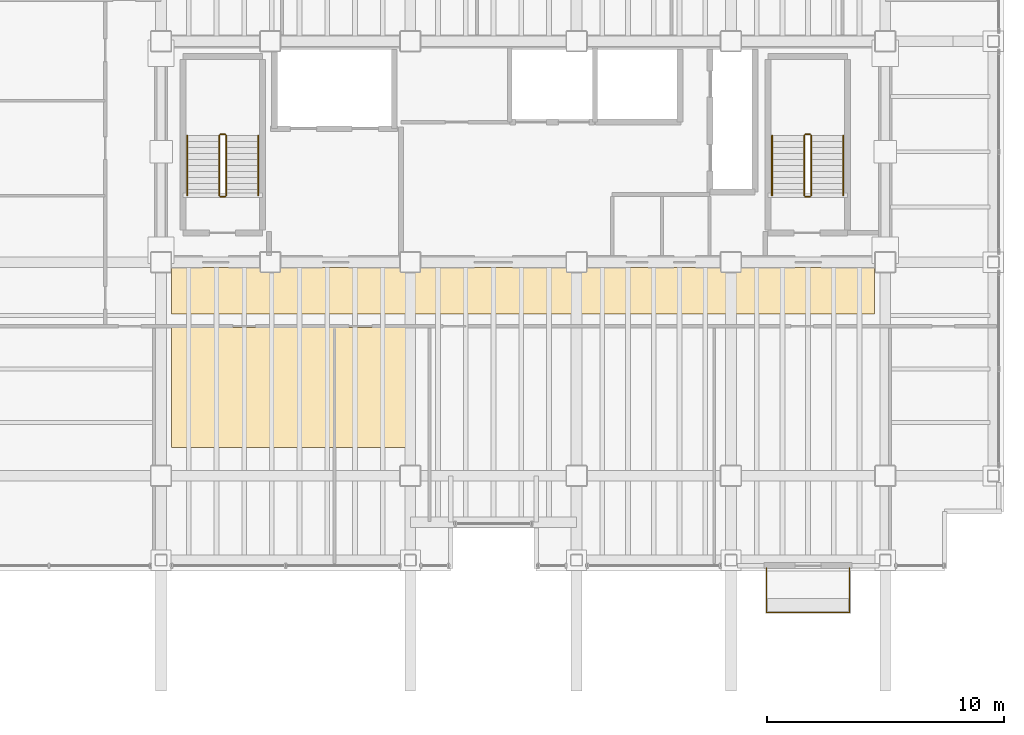
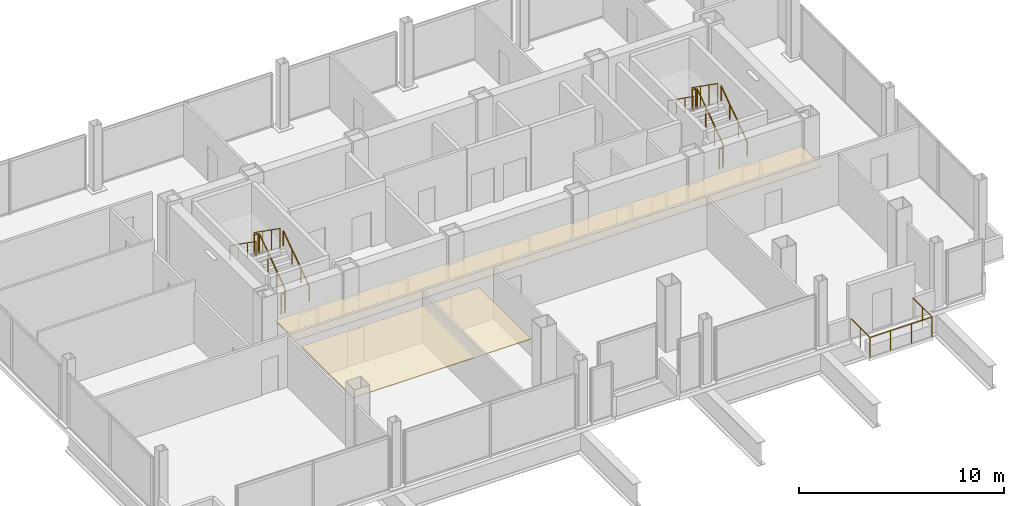
# One storey, part 24 of 24: 13 railings, 2 coverings.
"""IFC4 building model written with IfcOpenShell, lengths in metres."""

from ifc_helpers import new_model, si_unit, direction, frame, origin, origin_2d, place, context, subcontext, project, spatial, polyline, circle, outline, extrude, material, layer, layer_set, type_object, element, save


model = new_model("IFC4")

# Units and contexts
model_context = context("Model", 3, precision=1e-05, world=origin(), true_north=direction((0.0, 1.0)))
body_context = subcontext(model_context, "Body", "Model", "MODEL_VIEW")
ifc_project = project(units=[si_unit("LENGTHUNIT", "METRE"), si_unit("AREAUNIT", "SQUARE_METRE"), si_unit("VOLUMEUNIT", "CUBIC_METRE"), si_unit("PLANEANGLEUNIT", "RADIAN"), si_unit("MASSUNIT", "GRAM", prefix="KILO")], contexts=[model_context])

# Site, building, storey
site_placement = place(None, origin())
site = spatial("IfcSite", under=ifc_project, at=site_placement, CompositionType="ELEMENT")
building_placement = place(site_placement, origin())
building = spatial("IfcBuilding", under=site, at=building_placement, Name="Noeulbin Bourse Tower", CompositionType="ELEMENT")
storey_placement = place(building_placement, frame((0.0, 0.0, 142.199951171875)))
storey = spatial("IfcBuildingStorey", under=building, at=storey_placement, Name="L35", CompositionType="ELEMENT", Elevation=142.199951171875)

# Coverings
ifc_material_1 = material(Name="Perforated Mineral-Fibre Acoustic Tile")
ifc_layer_1 = layer(ifc_material_1, 0.0400390625)
ifc_layer_set_1 = layer_set([ifc_layer_1], Name="Perforated Mineral-Fibre Acoustic Tile")
covering_type = type_object("IfcCoveringType", Name="COV-CEIL-ACT", PredefinedType="CEILING", material=ifc_layer_set_1)
covering_1_placement = place(storey_placement, frame((0.0, 0.0, 2.110107421875)))
element("IfcCovering", 1, at=covering_1_placement, inside=storey, type_object=covering_type, Name="Corridor Suspended Ceiling L35", PredefinedType="CEILING", context=body_context, shape_type="SweptSolid", body=[
    extrude(outline(polyline([(13.949951171875, 26.820068359375), (43.550048828125, 26.820068359375), (43.550048828125, 28.780029296875), (13.949951171875, 28.780029296875), (13.949951171875, 26.820068359375)])), origin(), (0.0, 0.0, 1.0), 0.0400390625),
])
covering_2_placement = place(storey_placement, frame((0.0, 0.0, 2.110107421875)))
element("IfcCovering", 2, at=covering_2_placement, inside=storey, type_object=covering_type, Name="Trading Suite Acoustic Ceiling L35", PredefinedType="CEILING", context=body_context, shape_type="SweptSolid", body=[
    extrude(outline(polyline([(13.949951171875, 21.199951171875), (23.949951171875, 21.199951171875), (23.949951171875, 26.25), (13.949951171875, 26.25), (13.949951171875, 21.199951171875)])), origin(), (0.0, 0.0, 1.0), 0.0400390625),
])

# Railings
ifc_material_2 = material(Name="Laminated SentryGlas and Stainless Steel 316", Category="steel")
ifc_layer_2 = layer(ifc_material_2, 0.06005859375)
ifc_layer_set_2 = layer_set([ifc_layer_2], Name="Laminated SentryGlas and Stainless Steel 316")
railing_type_1 = type_object("IfcRailingType", Name="RLG-BAL-1200", PredefinedType="BALUSTRADE", material=ifc_layer_set_2)
railing_1_placement = place(storey_placement, frame((39.0, 16.1201171875, 0.0)))
element("IfcRailing", 3, at=railing_1_placement, inside=storey, type_object=railing_type_1, Name="Tree-Balcony Glazed Balustrade L35", PredefinedType="BALUSTRADE", context=body_context, shape_type="SweptSolid", body=[
    extrude(circle(Radius=0.02392578125, at=origin_2d()), frame((0.0, 0.0, 1.17578125), z_axis=(0.0, -1.0, 0.0), x_axis=(1.0, 0.0, 0.0)), (0.0, 0.0, 1.0), 1.8701171875),
    extrude(circle(Radius=0.02392578125, at=origin_2d()), frame((0.0, -1.8701171875, 1.17578125), z_axis=(1.0, 0.0, 0.0), x_axis=(0.0, 1.0, 0.0)), (0.0, 0.0, 1.0), 3.5),
    extrude(circle(Radius=0.02392578125, at=origin_2d()), frame((3.5, -1.8701171875, 1.17578125), z_axis=(0.0, 1.0, 0.0), x_axis=(-1.0, 0.0, 0.0)), (0.0, 0.0, 1.0), 1.8701171875),
    extrude(circle(Radius=0.02099609375, at=origin_2d()), origin(), (0.0, 0.0, 1.0), 1.15185546875),
    extrude(circle(Radius=0.02099609375, at=origin_2d()), frame((0.0, -0.93505859375, 0.0)), (0.0, 0.0, 1.0), 1.15185546875),
    extrude(circle(Radius=0.02099609375, at=origin_2d()), frame((0.0, -1.8701171875, 0.0)), (0.0, 0.0, 1.0), 1.15185546875),
    extrude(circle(Radius=0.02099609375, at=origin_2d()), frame((1.166748046875, -1.8701171875, 0.0)), (0.0, 0.0, 1.0), 1.15185546875),
    extrude(circle(Radius=0.02099609375, at=origin_2d()), frame((2.333251953125, -1.8701171875, 0.0)), (0.0, 0.0, 1.0), 1.15185546875),
    extrude(circle(Radius=0.02099609375, at=origin_2d()), frame((3.5, -1.8701171875, 0.0)), (0.0, 0.0, 1.0), 1.15185546875),
    extrude(circle(Radius=0.02099609375, at=origin_2d()), frame((3.5, -0.93505859375, 0.0)), (0.0, 0.0, 1.0), 1.15185546875),
    extrude(circle(Radius=0.02099609375, at=origin_2d()), frame((3.5, 0.0, 0.0)), (0.0, 0.0, 1.0), 1.15185546875),
])
ifc_material_3 = material(Name="Painted Tubular Steel S355", Category="steel")
ifc_layer_3 = layer(ifc_material_3, 0.048095703125)
ifc_layer_set_3 = layer_set([ifc_layer_3], Name="Painted Tubular Steel S355")
railing_type_2 = type_object("IfcRailingType", Name="RLG-STR-GRD", PredefinedType="GUARDRAIL", material=ifc_layer_set_3)
railing_2_placement = place(storey_placement, frame((16.25, 31.81005859375, 0.17724609375)))
element("IfcRailing", 4, at=railing_2_placement, inside=storey, type_object=railing_type_2, Name="L35 ST-1 stair guard 1", PredefinedType="GUARDRAIL", context=body_context, shape_type="SweptSolid", body=[
    extrude(circle(Radius=0.02392578125, at=origin_2d()), frame((0.0, 0.0, 1.17578125), z_axis=(0.0, 0.817904474719, 0.575354039036), x_axis=(-1.0, 0.0, 0.0)), (0.0, 0.0, 1.0), 3.0810546875),
    extrude(circle(Radius=0.02099609375, at=origin_2d()), origin(), (0.0, 0.0, 1.0), 1.15185546875),
    extrude(circle(Radius=0.02099609375, at=origin_2d()), frame((0.0, 0.840087890625, 0.5908203125)), (0.0, 0.0, 1.0), 1.15185546875),
    extrude(circle(Radius=0.02099609375, at=origin_2d()), frame((0.0, 1.679931640625, 1.181884765625)), (0.0, 0.0, 1.0), 1.15185546875),
    extrude(circle(Radius=0.02099609375, at=origin_2d()), frame((0.0, 2.52001953125, 1.772705078125)), (0.0, 0.0, 1.0), 1.15185546875),
])
railing_3_placement = place(storey_placement, frame((16.199951171875, 34.3798828125, 1.949951171875)))
element("IfcRailing", 5, at=railing_3_placement, inside=storey, type_object=railing_type_2, Name="L35 ST-1 stair guard 2", PredefinedType="GUARDRAIL", context=body_context, shape_type="SweptSolid", body=[
    extrude(circle(Radius=0.02392578125, at=origin_2d()), frame((0.0, 0.0, 1.17578125), z_axis=(-1.0, 0.0, 0.0), x_axis=(0.0, -1.0, 0.0)), (0.0, 0.0, 1.0), 0.199951171875),
    extrude(circle(Radius=0.02099609375, at=origin_2d()), origin(), (0.0, 0.0, 1.0), 1.15185546875),
    extrude(circle(Radius=0.02099609375, at=origin_2d()), frame((-0.199951171875, 0.0, 0.0)), (0.0, 0.0, 1.0), 1.15185546875),
])
railing_4_placement = place(storey_placement, frame((15.949951171875, 34.330078125, 2.12744140625)))
element("IfcRailing", 6, at=railing_4_placement, inside=storey, type_object=railing_type_2, Name="L35 ST-1 stair guard 3", PredefinedType="GUARDRAIL", context=body_context, shape_type="SweptSolid", body=[
    extrude(circle(Radius=0.02392578125, at=origin_2d()), frame((0.0, 0.0, 1.17578125), z_axis=(0.0, -0.817904474719, 0.575354039036), x_axis=(1.0, 0.0, 0.0)), (0.0, 0.0, 1.0), 3.0810546875),
    extrude(circle(Radius=0.02099609375, at=origin_2d()), origin(), (0.0, 0.0, 1.0), 1.15185546875),
    extrude(circle(Radius=0.02099609375, at=origin_2d()), frame((0.0, -0.840087890625, 0.5908203125)), (0.0, 0.0, 1.0), 1.15185546875),
    extrude(circle(Radius=0.02099609375, at=origin_2d()), frame((0.0, -1.679931640625, 1.181884765625)), (0.0, 0.0, 1.0), 1.15185546875),
    extrude(circle(Radius=0.02099609375, at=origin_2d()), frame((0.0, -2.52001953125, 1.772705078125)), (0.0, 0.0, 1.0), 1.15185546875),
])
railing_5_placement = place(storey_placement, frame((16.199951171875, 31.760009765625, 0.0)))
element("IfcRailing", 7, at=railing_5_placement, inside=storey, type_object=railing_type_2, Name="L35 ST-1 stair guard 4", PredefinedType="GUARDRAIL", context=body_context, shape_type="SweptSolid", body=[
    extrude(circle(Radius=0.02392578125, at=origin_2d()), frame((0.0, 0.0, 1.17578125), z_axis=(-1.0, 0.0, 0.0), x_axis=(0.0, -1.0, 0.0)), (0.0, 0.0, 1.0), 0.199951171875),
    extrude(circle(Radius=0.02099609375, at=origin_2d()), origin(), (0.0, 0.0, 1.0), 1.15185546875),
    extrude(circle(Radius=0.02099609375, at=origin_2d()), frame((-0.199951171875, 0.0, 0.0)), (0.0, 0.0, 1.0), 1.15185546875),
])
railing_6_placement = place(storey_placement, frame((40.8798828125, 31.81005859375, 0.17724609375)))
element("IfcRailing", 8, at=railing_6_placement, inside=storey, type_object=railing_type_2, Name="L35 ST-2 stair guard 1", PredefinedType="GUARDRAIL", context=body_context, shape_type="SweptSolid", body=[
    extrude(circle(Radius=0.02392578125, at=origin_2d()), frame((0.0, 0.0, 1.17578125), z_axis=(0.0, 0.817904474719, 0.575354039036), x_axis=(-1.0, 0.0, 0.0)), (0.0, 0.0, 1.0), 3.0810546875),
    extrude(circle(Radius=0.02099609375, at=origin_2d()), origin(), (0.0, 0.0, 1.0), 1.15185546875),
    extrude(circle(Radius=0.02099609375, at=origin_2d()), frame((0.0, 0.840087890625, 0.5908203125)), (0.0, 0.0, 1.0), 1.15185546875),
    extrude(circle(Radius=0.02099609375, at=origin_2d()), frame((0.0, 1.679931640625, 1.181884765625)), (0.0, 0.0, 1.0), 1.15185546875),
    extrude(circle(Radius=0.02099609375, at=origin_2d()), frame((0.0, 2.52001953125, 1.772705078125)), (0.0, 0.0, 1.0), 1.15185546875),
])
railing_7_placement = place(storey_placement, frame((40.830078125, 34.3798828125, 1.949951171875)))
element("IfcRailing", 9, at=railing_7_placement, inside=storey, type_object=railing_type_2, Name="L35 ST-2 stair guard 2", PredefinedType="GUARDRAIL", context=body_context, shape_type="SweptSolid", body=[
    extrude(circle(Radius=0.02392578125, at=origin_2d()), frame((0.0, 0.0, 1.17578125), z_axis=(-1.0, 0.0, 0.0), x_axis=(0.0, -1.0, 0.0)), (0.0, 0.0, 1.0), 0.2001953125),
    extrude(circle(Radius=0.02099609375, at=origin_2d()), origin(), (0.0, 0.0, 1.0), 1.15185546875),
    extrude(circle(Radius=0.02099609375, at=origin_2d()), frame((-0.2001953125, 0.0, 0.0)), (0.0, 0.0, 1.0), 1.15185546875),
])
railing_8_placement = place(storey_placement, frame((40.580078125, 34.330078125, 2.12744140625)))
element("IfcRailing", 10, at=railing_8_placement, inside=storey, type_object=railing_type_2, Name="L35 ST-2 stair guard 3", PredefinedType="GUARDRAIL", context=body_context, shape_type="SweptSolid", body=[
    extrude(circle(Radius=0.02392578125, at=origin_2d()), frame((0.0, 0.0, 1.17578125), z_axis=(0.0, -0.817904474719, 0.575354039036), x_axis=(1.0, 0.0, 0.0)), (0.0, 0.0, 1.0), 3.0810546875),
    extrude(circle(Radius=0.02099609375, at=origin_2d()), origin(), (0.0, 0.0, 1.0), 1.15185546875),
    extrude(circle(Radius=0.02099609375, at=origin_2d()), frame((0.0, -0.840087890625, 0.5908203125)), (0.0, 0.0, 1.0), 1.15185546875),
    extrude(circle(Radius=0.02099609375, at=origin_2d()), frame((0.0, -1.679931640625, 1.181884765625)), (0.0, 0.0, 1.0), 1.15185546875),
    extrude(circle(Radius=0.02099609375, at=origin_2d()), frame((0.0, -2.52001953125, 1.772705078125)), (0.0, 0.0, 1.0), 1.15185546875),
])
railing_9_placement = place(storey_placement, frame((40.830078125, 31.760009765625, 0.0)))
element("IfcRailing", 11, at=railing_9_placement, inside=storey, type_object=railing_type_2, Name="L35 ST-2 stair guard 4", PredefinedType="GUARDRAIL", context=body_context, shape_type="SweptSolid", body=[
    extrude(circle(Radius=0.02392578125, at=origin_2d()), frame((0.0, 0.0, 1.17578125), z_axis=(-1.0, 0.0, 0.0), x_axis=(0.0, -1.0, 0.0)), (0.0, 0.0, 1.0), 0.2001953125),
    extrude(circle(Radius=0.02099609375, at=origin_2d()), origin(), (0.0, 0.0, 1.0), 1.15185546875),
    extrude(circle(Radius=0.02099609375, at=origin_2d()), frame((-0.2001953125, 0.0, 0.0)), (0.0, 0.0, 1.0), 1.15185546875),
])
ifc_material_4 = material(Name="Brushed Stainless Steel 316", Category="steel")
ifc_layer_4 = layer(ifc_material_4, 0.048095703125)
ifc_layer_set_4 = layer_set([ifc_layer_4], Name="Brushed Stainless Steel 316")
railing_type_3 = type_object("IfcRailingType", Name="RLG-STR-HND", PredefinedType="HANDRAIL", material=ifc_layer_set_4)
railing_10_placement = place(storey_placement, frame((17.60009765625, 31.81005859375, 0.17724609375)))
element("IfcRailing", 12, at=railing_10_placement, inside=storey, type_object=railing_type_3, Name="L35 ST-1 stair handrail 1", PredefinedType="HANDRAIL", context=body_context, shape_type="SweptSolid", body=[
    extrude(circle(Radius=0.02392578125, at=origin_2d()), frame((0.0, 0.0, 0.8759765625), z_axis=(0.0, 0.817904474719, 0.575354039036), x_axis=(-1.0, 0.0, 0.0)), (0.0, 0.0, 1.0), 3.0810546875),
    extrude(circle(Radius=0.02099609375, at=origin_2d()), origin(), (0.0, 0.0, 1.0), 0.851806640625),
    extrude(circle(Radius=0.02099609375, at=origin_2d()), frame((0.0, 0.840087890625, 0.5908203125)), (0.0, 0.0, 1.0), 0.851806640625),
    extrude(circle(Radius=0.02099609375, at=origin_2d()), frame((0.0, 1.679931640625, 1.181884765625)), (0.0, 0.0, 1.0), 0.851806640625),
    extrude(circle(Radius=0.02099609375, at=origin_2d()), frame((0.0, 2.52001953125, 1.772705078125)), (0.0, 0.0, 1.0), 0.851806640625),
])
railing_11_placement = place(storey_placement, frame((14.60009765625, 34.330078125, 2.12744140625)))
element("IfcRailing", 13, at=railing_11_placement, inside=storey, type_object=railing_type_3, Name="L35 ST-1 stair handrail 2", PredefinedType="HANDRAIL", context=body_context, shape_type="SweptSolid", body=[
    extrude(circle(Radius=0.02392578125, at=origin_2d()), frame((0.0, 0.0, 0.8759765625), z_axis=(0.0, -0.817904474719, 0.575354039036), x_axis=(1.0, 0.0, 0.0)), (0.0, 0.0, 1.0), 3.0810546875),
    extrude(circle(Radius=0.02099609375, at=origin_2d()), origin(), (0.0, 0.0, 1.0), 0.851806640625),
    extrude(circle(Radius=0.02099609375, at=origin_2d()), frame((0.0, -0.840087890625, 0.5908203125)), (0.0, 0.0, 1.0), 0.851806640625),
    extrude(circle(Radius=0.02099609375, at=origin_2d()), frame((0.0, -1.679931640625, 1.181884765625)), (0.0, 0.0, 1.0), 0.851806640625),
    extrude(circle(Radius=0.02099609375, at=origin_2d()), frame((0.0, -2.52001953125, 1.772705078125)), (0.0, 0.0, 1.0), 0.851806640625),
])
railing_12_placement = place(storey_placement, frame((42.22998046875, 31.81005859375, 0.17724609375)))
element("IfcRailing", 14, at=railing_12_placement, inside=storey, type_object=railing_type_3, Name="L35 ST-2 stair handrail 1", PredefinedType="HANDRAIL", context=body_context, shape_type="SweptSolid", body=[
    extrude(circle(Radius=0.02392578125, at=origin_2d()), frame((0.0, 0.0, 0.8759765625), z_axis=(0.0, 0.817904474719, 0.575354039036), x_axis=(-1.0, 0.0, 0.0)), (0.0, 0.0, 1.0), 3.0810546875),
    extrude(circle(Radius=0.02099609375, at=origin_2d()), origin(), (0.0, 0.0, 1.0), 0.851806640625),
    extrude(circle(Radius=0.02099609375, at=origin_2d()), frame((0.0, 0.840087890625, 0.5908203125)), (0.0, 0.0, 1.0), 0.851806640625),
    extrude(circle(Radius=0.02099609375, at=origin_2d()), frame((0.0, 1.679931640625, 1.181884765625)), (0.0, 0.0, 1.0), 0.851806640625),
    extrude(circle(Radius=0.02099609375, at=origin_2d()), frame((0.0, 2.52001953125, 1.772705078125)), (0.0, 0.0, 1.0), 0.851806640625),
])
railing_13_placement = place(storey_placement, frame((39.22998046875, 34.330078125, 2.12744140625)))
element("IfcRailing", 15, at=railing_13_placement, inside=storey, type_object=railing_type_3, Name="L35 ST-2 stair handrail 2", PredefinedType="HANDRAIL", context=body_context, shape_type="SweptSolid", body=[
    extrude(circle(Radius=0.02392578125, at=origin_2d()), frame((0.0, 0.0, 0.8759765625), z_axis=(0.0, -0.817904474719, 0.575354039036), x_axis=(1.0, 0.0, 0.0)), (0.0, 0.0, 1.0), 3.0810546875),
    extrude(circle(Radius=0.02099609375, at=origin_2d()), origin(), (0.0, 0.0, 1.0), 0.851806640625),
    extrude(circle(Radius=0.02099609375, at=origin_2d()), frame((0.0, -0.840087890625, 0.5908203125)), (0.0, 0.0, 1.0), 0.851806640625),
    extrude(circle(Radius=0.02099609375, at=origin_2d()), frame((0.0, -1.679931640625, 1.181884765625)), (0.0, 0.0, 1.0), 0.851806640625),
    extrude(circle(Radius=0.02099609375, at=origin_2d()), frame((0.0, -2.52001953125, 1.772705078125)), (0.0, 0.0, 1.0), 0.851806640625),
])

save(model, "model.ifc")
